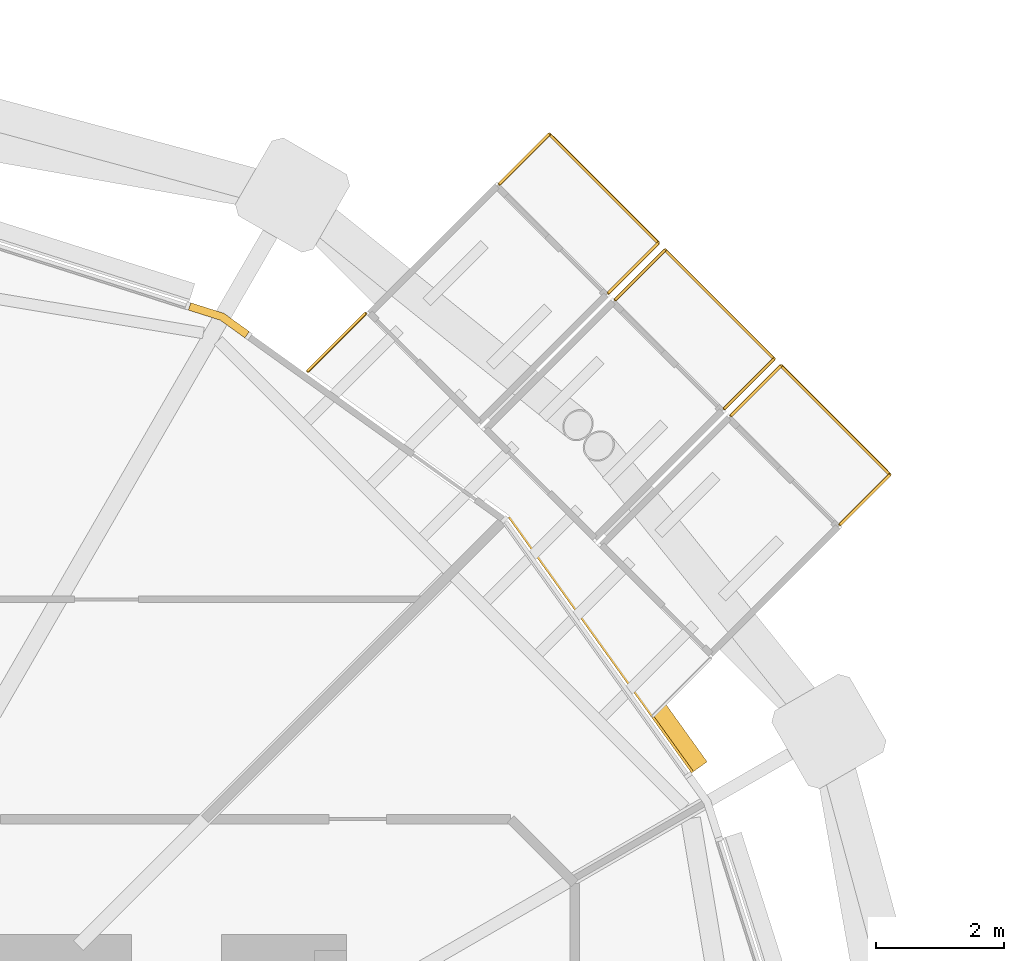
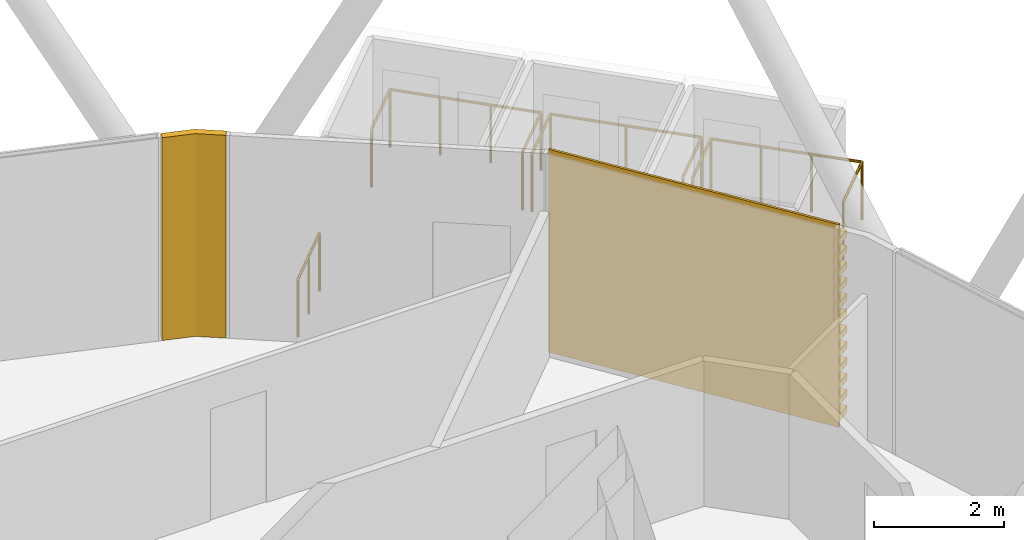
# One storey, part 34 of 34: 10 railings, 2 coverings.
"""IFC4 building model written with IfcOpenShell, lengths in metres."""

import ifcopenshell
import ifcopenshell.guid

model = None  # the IFC model being written
_history = None  # IfcOwnerHistory: only IFC2X3 demands one
_inside = {}  # id of a spatial element -> (the spatial element, [elements in it])
_under = {}  # id of a project, library or spatial element -> (it, [spatial elements below it])
_declared = {}  # id of a project -> (the project, [libraries it declares])
_typed = {}  # id of a type object -> (the type object, [elements of that type])
_made_of = {}  # id of a material, layer set ... -> (it, [elements and type objects made of it])


def new_model(schema):
    """Start an empty IFC model of exactly this schema.

    Asked for "IFC4X3", IfcOpenShell would pick the latest addendum, in which some entities
    have other attributes; the version numbers below select the first issue.
    IFC2X3 requires an IfcOwnerHistory on every rooted entity: one is made here for all.
    """
    global model, _history
    if schema == "IFC4X3":
        model = ifcopenshell.file(schema_version=(4, 3, 0, 0))
    else:
        model = ifcopenshell.file(schema=schema)
    _inside.clear()
    _under.clear()
    _declared.clear()
    _typed.clear()
    _made_of.clear()
    _history = None
    if model.schema == "IFC2X3":
        org = make("IfcOrganization", Name="unknown")
        user = make(
            "IfcPersonAndOrganization",
            ThePerson=make("IfcPerson", FamilyName="unknown"),
            TheOrganization=org,
        )
        app = make(
            "IfcApplication",
            ApplicationDeveloper=org,
            Version="unknown",
            ApplicationFullName="unknown",
            ApplicationIdentifier="unknown",
        )
        _history = make(
            "IfcOwnerHistory",
            OwningUser=user,
            OwningApplication=app,
            ChangeAction="ADDED",
            CreationDate=0,
        )
    return model


def make(cls, **values):
    """One entity of the class cls with the attributes given. An attribute that is None is left unset."""
    return model.create_entity(
        cls, **{name: value for name, value in values.items() if value is not None}
    )


def rooted(cls, **values):
    """An entity with a GlobalId (a new one), such as an element, a storey or a relation."""
    return make(cls, GlobalId=ifcopenshell.guid.new(), OwnerHistory=_history, **values)


def si_unit(unit_type, name, prefix=None):
    """IfcSIUnit, for example si_unit("LENGTHUNIT", "METRE", prefix="MILLI")."""
    return make("IfcSIUnit", UnitType=unit_type, Prefix=prefix, Name=name)


def assignment(units):
    """IfcUnitAssignment: the units of a project."""
    return None if units is None else make("IfcUnitAssignment", Units=units)


def point(xyz):
    """IfcCartesianPoint."""
    return None if xyz is None else make("IfcCartesianPoint", Coordinates=xyz)


def direction(xyz):
    """IfcDirection."""
    return None if xyz is None else make("IfcDirection", DirectionRatios=xyz)


def frame(location, z_axis=None, x_axis=None):
    """IfcAxis2Placement3D, a coordinate frame: its origin and axes. An axis left out is left unset."""
    return make(
        "IfcAxis2Placement3D",
        Location=point(location),
        Axis=direction(z_axis),
        RefDirection=direction(x_axis),
    )


def frame_2d(location, x_axis=None):
    """IfcAxis2Placement2D, a coordinate frame in the plane: its origin and x axis."""
    return make(
        "IfcAxis2Placement2D", Location=point(location), RefDirection=direction(x_axis)
    )


def origin():
    """The frame at (0, 0, 0) with its axes left unset."""
    return frame((0.0, 0.0, 0.0))


def origin_2d():
    """The frame at (0, 0) in the plane with its x axis left unset."""
    return frame_2d((0.0, 0.0))


def place(relative_to, where):
    """IfcLocalPlacement: puts the frame where relative to a parent placement (None: the world)."""
    return make(
        "IfcLocalPlacement", PlacementRelTo=relative_to, RelativePlacement=where
    )


def context(
    kind, dimensions, precision=None, world=None, true_north=None, identifier=None
):
    """IfcGeometricRepresentationContext, for example the 3D "Model" context."""
    return make(
        "IfcGeometricRepresentationContext",
        ContextIdentifier=identifier,
        ContextType=kind,
        CoordinateSpaceDimension=dimensions,
        Precision=precision,
        WorldCoordinateSystem=world,
        TrueNorth=true_north,
    )


def subcontext(parent, identifier, kind, view, scale=None):
    """IfcGeometricRepresentationSubContext, for example "Body" below "Model"."""
    return make(
        "IfcGeometricRepresentationSubContext",
        ContextIdentifier=identifier,
        ContextType=kind,
        ParentContext=parent,
        TargetScale=scale,
        TargetView=view,
    )


def project(units=None, contexts=None):
    """IfcProject with its units and contexts."""
    return rooted(
        "IfcProject",
        Name="project",
        RepresentationContexts=contexts,
        UnitsInContext=assignment(units),
    )


def spatial(cls, under=None, at=None, **own):
    """A site, building, storey or space (cls), placed at a placement, below another one or the project."""
    s = rooted(cls, ObjectPlacement=at, **own)
    if under is not None:
        _under.setdefault(under.id(), (under, []))[1].append(s)
    return s


def polyline(points):
    """IfcPolyline through the points."""
    return make("IfcPolyline", Points=[point(p) for p in points])


def profile(cls, at=None, kind="AREA", **sizes):
    """A parametric profile (cls). Its sizes go by their IFC names, for example OverallWidth=200.0."""
    return make(cls, ProfileType=kind, Position=at, **sizes)


def circle(**sizes):
    """IfcCircleProfileDef."""
    return profile("IfcCircleProfileDef", **sizes)


def outline(outer, holes=None, kind="AREA"):
    """IfcArbitraryClosedProfileDef: a profile drawn as a closed curve; with holes, ...WithVoids."""
    if holes is None:
        return make("IfcArbitraryClosedProfileDef", ProfileType=kind, OuterCurve=outer)
    return make(
        "IfcArbitraryProfileDefWithVoids",
        ProfileType=kind,
        OuterCurve=outer,
        InnerCurves=holes,
    )


def extrude(swept, where, along, depth):
    """IfcExtrudedAreaSolid: the profile swept, set in the frame where, extruded along a direction by depth."""
    return make(
        "IfcExtrudedAreaSolid",
        SweptArea=swept,
        Position=where,
        ExtrudedDirection=direction(along),
        Depth=depth,
    )


def shape(context_of_items, identifier, shape_type, items):
    """IfcShapeRepresentation: the items that make up one representation, for example the "Body"."""
    return make(
        "IfcShapeRepresentation",
        ContextOfItems=context_of_items,
        RepresentationIdentifier=identifier,
        RepresentationType=shape_type,
        Items=items,
    )


def material(Name=None, Category=None):
    """IfcMaterial."""
    return make("IfcMaterial", Name=Name, Category=Category)


def layer(
    of_material, thickness, ventilated=None, Name=None, Category=None, Priority=None
):
    """IfcMaterialLayer: one layer of a wall or slab, of a material (None: an air gap)."""
    return make(
        "IfcMaterialLayer",
        Material=of_material,
        LayerThickness=thickness,
        IsVentilated=ventilated,
        Name=Name,
        Category=Category,
        Priority=Priority,
    )


def layer_set(layers, Name=None):
    """IfcMaterialLayerSet."""
    return make("IfcMaterialLayerSet", MaterialLayers=layers, LayerSetName=Name)


def material_profile(
    of_material, cross_section, Name=None, Category=None, Priority=None
):
    """IfcMaterialProfile: a cross section and its material."""
    return make(
        "IfcMaterialProfile",
        Name=Name,
        Material=of_material,
        Profile=cross_section,
        Priority=Priority,
        Category=Category,
    )


def profile_set(profiles, Name=None, composite=None):
    """IfcMaterialProfileSet."""
    return make(
        "IfcMaterialProfileSet",
        Name=Name,
        MaterialProfiles=profiles,
        CompositeProfile=composite,
    )


def made_of(thing, what):
    """Note that an element or type object is made of a material, layer set ...; save() writes the relation."""
    if what is not None:
        _made_of.setdefault(what.id(), (what, []))[1].append(thing)
    return thing


def type_object(cls, material=None, **own):
    """A type object (cls), such as IfcWallType, which elements share."""
    return made_of(rooted(cls, **own), material)


def element(
    cls,
    number,
    at=None,
    inside=None,
    cuts=None,
    type_object=None,
    material=None,
    context=None,
    identifier="Body",
    shape_type=None,
    held_by="IfcProductDefinitionShape",
    body=None,
    shapes=None,
    **own,
):
    """One element of the class cls, such as IfcWall. Its Tag is "e" and its number.

    at: its placement. inside: the storey or other place that contains it. cuts: it is an
    opening in that element (IfcRelVoidsElement). A single representation is given by context,
    identifier, shape_type and body (its items); several are given by shapes. held_by: the class
    of the entity that holds the representations. save() writes the other relations.
    """
    e = rooted(cls, Tag="e%d" % number, ObjectPlacement=at, **own)
    if body is not None:
        shapes = [shape(context, identifier, shape_type, body)]
    if shapes is not None:
        e.Representation = make(held_by, Representations=shapes)
    if inside is not None:
        _inside.setdefault(inside.id(), (inside, []))[1].append(e)
    if cuts is not None:
        rooted(
            "IfcRelVoidsElement", RelatingBuildingElement=cuts, RelatedOpeningElement=e
        )
    if type_object is not None:
        _typed.setdefault(type_object.id(), (type_object, []))[1].append(e)
    return made_of(e, material)


def aggregate(whole, parts):
    """IfcRelAggregates: a whole, such as a stair, and the parts it consists of."""
    return rooted("IfcRelAggregates", RelatingObject=whole, RelatedObjects=parts)


def save(model, path):
    """Write the relations noted so far, then the file.

    IfcRelAggregates (storeys below a building ...), IfcRelContainedInSpatialStructure (elements
    in a storey), IfcRelDefinesByType, IfcRelAssociatesMaterial and IfcRelDeclares: one each for
    every whole, place, type object, material and project.
    """
    for whole, parts in _under.values():
        aggregate(whole, parts)
    for where, things in _inside.values():
        rooted(
            "IfcRelContainedInSpatialStructure",
            RelatedElements=things,
            RelatingStructure=where,
        )
    for kind, things in _typed.values():
        rooted("IfcRelDefinesByType", RelatedObjects=things, RelatingType=kind)
    for what, things in _made_of.values():
        rooted("IfcRelAssociatesMaterial", RelatedObjects=things, RelatingMaterial=what)
    for by, libraries in _declared.values():
        rooted("IfcRelDeclares", RelatingContext=by, RelatedDefinitions=libraries)
    model.write(path)


model = new_model("IFC4")

# Units and contexts
model_context = context("Model", 3, precision=1e-05, world=origin(), true_north=direction((0.0, 1.0)))
body_context = subcontext(model_context, "Body", "Model", "MODEL_VIEW")
ifc_project = project(units=[si_unit("LENGTHUNIT", "METRE"), si_unit("AREAUNIT", "SQUARE_METRE"), si_unit("VOLUMEUNIT", "CUBIC_METRE"), si_unit("PLANEANGLEUNIT", "RADIAN"), si_unit("MASSUNIT", "GRAM", prefix="KILO")], contexts=[model_context])

# Site, building, storey
site_placement = place(None, origin())
site = spatial("IfcSite", under=ifc_project, at=site_placement, CompositionType="ELEMENT")
building_placement = place(site_placement, origin())
building = spatial("IfcBuilding", under=site, at=building_placement, Name="Rimbun Link Towers", CompositionType="ELEMENT")
storey_placement = place(building_placement, frame((0.0, 0.0, 221.89990234375)))
storey = spatial("IfcBuildingStorey", under=building, at=storey_placement, Name="L54", CompositionType="ELEMENT", Elevation=221.89990234375)

# Railings
ifc_material_1 = material(Name="Stainless steel grade 316", Category="steel")
railing_type = type_object("IfcRailingType", Name="GUARD stainless rail and posts", PredefinedType="GUARDRAIL", material=ifc_material_1)
railing_1_placement = place(storey_placement, frame((48.07763671875, 18.23681640625, 0.0)))
element("IfcRailing", 1, at=railing_1_placement, inside=storey, type_object=railing_type, Name="GUARD D542.01 balcony", PredefinedType="GUARDRAIL", context=body_context, shape_type="SweptSolid", body=[
    extrude(circle(Radius=0.02392578125, at=origin_2d()), frame((0.0, 0.0, 1.076171875), z_axis=(0.707106781187, 0.707106781187, 0.0), x_axis=(-0.707106781187, 0.707106781187, 0.0)), (0.0, 0.0, 1.0), 1.10009765625),
    extrude(circle(Radius=0.02099609375, at=origin_2d()), origin(), (0.0, 0.0, 1.0), 1.052001953125),
    extrude(circle(Radius=0.02099609375, at=origin_2d()), frame((0.77783203125, 0.77783203125, 0.0)), (0.0, 0.0, 1.0), 1.052001953125),
])
railing_2_placement = place(storey_placement, frame((48.85546875, 19.0146484375, 0.0)))
element("IfcRailing", 2, at=railing_2_placement, inside=storey, type_object=railing_type, Name="GUARD D542.01 balcony", PredefinedType="GUARDRAIL", context=body_context, shape_type="SweptSolid", body=[
    extrude(circle(Radius=0.02392578125, at=origin_2d()), frame((0.0, 0.0, 1.076171875), z_axis=(-0.707157639372, 0.707055919343, 0.0), x_axis=(-0.707055919343, -0.707157639372, 0.0)), (0.0, 0.0, 1.0), 2.400146484375),
    extrude(circle(Radius=0.02099609375, at=origin_2d()), origin(), (0.0, 0.0, 1.0), 1.052001953125),
    extrude(circle(Radius=0.02099609375, at=origin_2d()), frame((-0.565673828125, 0.565673828125, 0.0)), (0.0, 0.0, 1.0), 1.052001953125),
    extrude(circle(Radius=0.02099609375, at=origin_2d()), frame((-1.131591796875, 1.13134765625, 0.0)), (0.0, 0.0, 1.0), 1.052001953125),
    extrude(circle(Radius=0.02099609375, at=origin_2d()), frame((-1.697265625, 1.697021484375, 0.0)), (0.0, 0.0, 1.0), 1.052001953125),
])
railing_3_placement = place(storey_placement, frame((47.158203125, 20.711669921875, 0.0)))
element("IfcRailing", 3, at=railing_3_placement, inside=storey, type_object=railing_type, Name="GUARD D542.01 balcony", PredefinedType="GUARDRAIL", context=body_context, shape_type="SweptSolid", body=[
    extrude(circle(Radius=0.02392578125, at=origin_2d()), frame((0.0, 0.0, 1.076171875), z_axis=(-0.706995784127, -0.707217760825, 0.0), x_axis=(0.707217760825, -0.706995784127, 0.0)), (0.0, 0.0, 1.0), 1.099853515625),
    extrude(circle(Radius=0.02099609375, at=origin_2d()), origin(), (0.0, 0.0, 1.0), 1.052001953125),
    extrude(circle(Radius=0.02099609375, at=origin_2d()), frame((-0.777587890625, -0.77783203125, 0.0)), (0.0, 0.0, 1.0), 1.052001953125),
])
railing_4_placement = place(storey_placement, frame((49.880615234375, 16.43359375, 0.0)))
element("IfcRailing", 4, at=railing_4_placement, inside=storey, type_object=railing_type, Name="GUARD D542.02 balcony", PredefinedType="GUARDRAIL", context=body_context, shape_type="SweptSolid", body=[
    extrude(circle(Radius=0.02392578125, at=origin_2d()), frame((0.0, 0.0, 1.076171875), z_axis=(0.707106781187, 0.707106781187, 0.0), x_axis=(-0.707106781187, 0.707106781187, 0.0)), (0.0, 0.0, 1.0), 1.10009765625),
    extrude(circle(Radius=0.02099609375, at=origin_2d()), origin(), (0.0, 0.0, 1.0), 1.052001953125),
    extrude(circle(Radius=0.02099609375, at=origin_2d()), frame((0.77783203125, 0.77783203125, 0.0)), (0.0, 0.0, 1.0), 1.052001953125),
])
railing_5_placement = place(storey_placement, frame((50.658447265625, 17.21142578125, 0.0)))
element("IfcRailing", 5, at=railing_5_placement, inside=storey, type_object=railing_type, Name="GUARD D542.02 balcony", PredefinedType="GUARDRAIL", context=body_context, shape_type="SweptSolid", body=[
    extrude(circle(Radius=0.02392578125, at=origin_2d()), frame((0.0, 0.0, 1.076171875), z_axis=(-0.707106781187, 0.707106781187, 0.0), x_axis=(-0.707106781187, -0.707106781187, 0.0)), (0.0, 0.0, 1.0), 2.39990234375),
    extrude(circle(Radius=0.02099609375, at=origin_2d()), origin(), (0.0, 0.0, 1.0), 1.052001953125),
    extrude(circle(Radius=0.02099609375, at=origin_2d()), frame((-0.8486328125, 0.8486328125, 0.0)), (0.0, 0.0, 1.0), 1.052001953125),
    extrude(circle(Radius=0.02099609375, at=origin_2d()), frame((-1.697021484375, 1.697021484375, 0.0)), (0.0, 0.0, 1.0), 1.052001953125),
])
railing_6_placement = place(storey_placement, frame((48.96142578125, 18.908447265625, 0.0)))
element("IfcRailing", 6, at=railing_6_placement, inside=storey, type_object=railing_type, Name="GUARD D542.02 balcony", PredefinedType="GUARDRAIL", context=body_context, shape_type="SweptSolid", body=[
    extrude(circle(Radius=0.02392578125, at=origin_2d()), frame((0.0, 0.0, 1.076171875), z_axis=(-0.707106781187, -0.707106781187, 0.0), x_axis=(0.707106781187, -0.707106781187, 0.0)), (0.0, 0.0, 1.0), 1.10009765625),
    extrude(circle(Radius=0.02099609375, at=origin_2d()), origin(), (0.0, 0.0, 1.0), 1.052001953125),
    extrude(circle(Radius=0.02099609375, at=origin_2d()), frame((-0.77783203125, -0.77783203125, 0.0)), (0.0, 0.0, 1.0), 1.052001953125),
])
railing_7_placement = place(storey_placement, frame((51.683837890625, 14.630615234375, 0.0)))
element("IfcRailing", 7, at=railing_7_placement, inside=storey, type_object=railing_type, Name="GUARD D542.03 balcony", PredefinedType="GUARDRAIL", context=body_context, shape_type="SweptSolid", body=[
    extrude(circle(Radius=0.02392578125, at=origin_2d()), frame((0.0, 0.0, 1.076171875), z_axis=(0.707217760825, 0.706995784127, 0.0), x_axis=(-0.706995784127, 0.707217760825, 0.0)), (0.0, 0.0, 1.0), 1.099853515625),
    extrude(circle(Radius=0.02099609375, at=origin_2d()), origin(), (0.0, 0.0, 1.0), 1.052001953125),
    extrude(circle(Radius=0.02099609375, at=origin_2d()), frame((0.77783203125, 0.777587890625, 0.0)), (0.0, 0.0, 1.0), 1.052001953125),
])
railing_8_placement = place(storey_placement, frame((52.461669921875, 15.408203125, 0.0)))
element("IfcRailing", 8, at=railing_8_placement, inside=storey, type_object=railing_type, Name="GUARD D542.03 balcony", PredefinedType="GUARDRAIL", context=body_context, shape_type="SweptSolid", body=[
    extrude(circle(Radius=0.02392578125, at=origin_2d()), frame((0.0, 0.0, 1.076171875), z_axis=(-0.707055919343, 0.707157639372, 0.0), x_axis=(-0.707157639372, -0.707055919343, 0.0)), (0.0, 0.0, 1.0), 2.400146484375),
    extrude(circle(Radius=0.02099609375, at=origin_2d()), origin(), (0.0, 0.0, 1.0), 1.052001953125),
    extrude(circle(Radius=0.02099609375, at=origin_2d()), frame((-0.565673828125, 0.565673828125, 0.0)), (0.0, 0.0, 1.0), 1.052001953125),
    extrude(circle(Radius=0.02099609375, at=origin_2d()), frame((-1.13134765625, 1.131591796875, 0.0)), (0.0, 0.0, 1.0), 1.052001953125),
    extrude(circle(Radius=0.02099609375, at=origin_2d()), frame((-1.697021484375, 1.697265625, 0.0)), (0.0, 0.0, 1.0), 1.052001953125),
])
railing_9_placement = place(storey_placement, frame((50.7646484375, 17.10546875, 0.0)))
element("IfcRailing", 9, at=railing_9_placement, inside=storey, type_object=railing_type, Name="GUARD D542.03 balcony", PredefinedType="GUARDRAIL", context=body_context, shape_type="SweptSolid", body=[
    extrude(circle(Radius=0.02392578125, at=origin_2d()), frame((0.0, 0.0, 1.076171875), z_axis=(-0.707106781187, -0.707106781187, 0.0), x_axis=(0.707106781187, -0.707106781187, 0.0)), (0.0, 0.0, 1.0), 1.10009765625),
    extrude(circle(Radius=0.02099609375, at=origin_2d()), origin(), (0.0, 0.0, 1.0), 1.052001953125),
    extrude(circle(Radius=0.02099609375, at=origin_2d()), frame((-0.77783203125, -0.77783203125, 0.0)), (0.0, 0.0, 1.0), 1.052001953125),
])
railing_10_placement = place(storey_placement, frame((44.29443359375, 17.91845703125, 0.0)))
element("IfcRailing", 10, at=railing_10_placement, inside=storey, type_object=railing_type, Name="GUARD D542 gallery", PredefinedType="GUARDRAIL", context=body_context, shape_type="SweptSolid", body=[
    extrude(circle(Radius=0.02392578125, at=origin_2d()), frame((0.0, 0.0, 1.076171875), z_axis=(-0.707106781187, -0.707106781187, 0.0), x_axis=(0.707106781187, -0.707106781187, 0.0)), (0.0, 0.0, 1.0), 1.272705078125),
    extrude(circle(Radius=0.02099609375, at=origin_2d()), origin(), (0.0, 0.0, 1.0), 1.052001953125),
    extrude(circle(Radius=0.02099609375, at=origin_2d()), frame((-0.449951171875, -0.449951171875, 0.0)), (0.0, 0.0, 1.0), 1.052001953125),
    extrude(circle(Radius=0.02099609375, at=origin_2d()), frame((-0.89990234375, -0.89990234375, 0.0)), (0.0, 0.0, 1.0), 1.052001953125),
])

# Coverings
ifc_material_2 = material(Name="Terracotta", Category="masonry")
ifc_layer = layer(ifc_material_2, 0.1201171875)
ifc_layer_set = layer_set([ifc_layer], Name="LINK PIER terracotta cladding 120")
covering_type_1 = type_object("IfcCoveringType", Name="LINK PIER terracotta cladding 120", PredefinedType="CLADDING", material=ifc_layer_set)
covering_1_placement = place(storey_placement, origin())
element("IfcCovering", 11, at=covering_1_placement, inside=storey, type_object=covering_type_1, Name="LINK PIER cladding", PredefinedType="CLADDING", context=body_context, shape_type="SweptSolid", body=[
    extrude(outline(polyline([(41.53857421875, 17.97021484375), (42.0341796875, 17.8125), (42.416015625, 17.53857421875), (42.48583984375, 17.635986328125), (42.088623046875, 17.921142578125), (41.574951171875, 18.08447265625), (41.53857421875, 17.97021484375)])), origin(), (0.0, 0.0, 1.0), 3.800048828125),
])
ifc_material_3 = material(Name="Terracotta", Category="masonry")
ifc_material_profile = material_profile(ifc_material_3, outline(polyline([(0.123046875, 0.0), (0.1630859375, 0.0), (0.1630859375, 0.10009765625), (0.423095703125, 0.10009765625), (0.423095703125, 0.219970703125), (0.1630859375, 0.219970703125), (0.1630859375, 0.39990234375), (0.423095703125, 0.39990234375), (0.423095703125, 0.52001953125), (0.1630859375, 0.52001953125), (0.1630859375, 0.699951171875), (0.423095703125, 0.699951171875), (0.423095703125, 0.820068359375), (0.1630859375, 0.820068359375), (0.1630859375, 1.0), (0.423095703125, 1.0), (0.423095703125, 1.1201171875), (0.1630859375, 1.1201171875), (0.1630859375, 1.300048828125), (0.423095703125, 1.300048828125), (0.423095703125, 1.419921875), (0.1630859375, 1.419921875), (0.1630859375, 1.60009765625), (0.423095703125, 1.60009765625), (0.423095703125, 1.719970703125), (0.1630859375, 1.719970703125), (0.1630859375, 1.89990234375), (0.423095703125, 1.89990234375), (0.423095703125, 2.02001953125), (0.1630859375, 2.02001953125), (0.1630859375, 2.199951171875), (0.423095703125, 2.199951171875), (0.423095703125, 2.320068359375), (0.1630859375, 2.320068359375), (0.1630859375, 2.5), (0.423095703125, 2.5), (0.423095703125, 2.6201171875), (0.1630859375, 2.6201171875), (0.1630859375, 2.800048828125), (0.423095703125, 2.800048828125), (0.423095703125, 2.919921875), (0.1630859375, 2.919921875), (0.1630859375, 3.10009765625), (0.423095703125, 3.10009765625), (0.423095703125, 3.219970703125), (0.1630859375, 3.219970703125), (0.1630859375, 3.39990234375), (0.423095703125, 3.39990234375), (0.423095703125, 3.52001953125), (0.1630859375, 3.52001953125), (0.1630859375, 3.800048828125), (0.123046875, 3.800048828125), (0.123046875, 0.0)])), Name="BAGUETTE 120X300")
ifc_profile_set = profile_set([ifc_material_profile], Name="Terracotta")
covering_type_2 = type_object("IfcCoveringType", Name="TERRACOTTA BAGUETTE 120X300 H3800", PredefinedType="CLADDING", material=ifc_profile_set)
covering_2_placement = place(storey_placement, frame((46.417236328125, 14.667236328125, 0.0), z_axis=(0.583020261963, -0.81245761375, 0.0), x_axis=(0.81245761375, 0.583020261963, 0.0)))
element("IfcCovering", 12, at=covering_2_placement, inside=storey, type_object=covering_type_2, Name="TERRACOTTA BAGUETTE", PredefinedType="CLADDING", context=body_context, shape_type="SweptSolid", body=[
    extrude(outline(polyline([(0.123046875, 0.0), (0.1630859375, 0.0), (0.1630859375, 0.10009765625), (0.423095703125, 0.10009765625), (0.423095703125, 0.219970703125), (0.1630859375, 0.219970703125), (0.1630859375, 0.39990234375), (0.423095703125, 0.39990234375), (0.423095703125, 0.52001953125), (0.1630859375, 0.52001953125), (0.1630859375, 0.699951171875), (0.423095703125, 0.699951171875), (0.423095703125, 0.820068359375), (0.1630859375, 0.820068359375), (0.1630859375, 1.0), (0.423095703125, 1.0), (0.423095703125, 1.1201171875), (0.1630859375, 1.1201171875), (0.1630859375, 1.300048828125), (0.423095703125, 1.300048828125), (0.423095703125, 1.419921875), (0.1630859375, 1.419921875), (0.1630859375, 1.60009765625), (0.423095703125, 1.60009765625), (0.423095703125, 1.719970703125), (0.1630859375, 1.719970703125), (0.1630859375, 1.89990234375), (0.423095703125, 1.89990234375), (0.423095703125, 2.02001953125), (0.1630859375, 2.02001953125), (0.1630859375, 2.199951171875), (0.423095703125, 2.199951171875), (0.423095703125, 2.320068359375), (0.1630859375, 2.320068359375), (0.1630859375, 2.5), (0.423095703125, 2.5), (0.423095703125, 2.6201171875), (0.1630859375, 2.6201171875), (0.1630859375, 2.800048828125), (0.423095703125, 2.800048828125), (0.423095703125, 2.919921875), (0.1630859375, 2.919921875), (0.1630859375, 3.10009765625), (0.423095703125, 3.10009765625), (0.423095703125, 3.219970703125), (0.1630859375, 3.219970703125), (0.1630859375, 3.39990234375), (0.423095703125, 3.39990234375), (0.423095703125, 3.52001953125), (0.1630859375, 3.52001953125), (0.1630859375, 3.800048828125), (0.123046875, 3.800048828125), (0.123046875, 0.0)])), origin(), (0.0, 0.0, 1.0), 4.894775390625),
])

save(model, "model.ifc")
